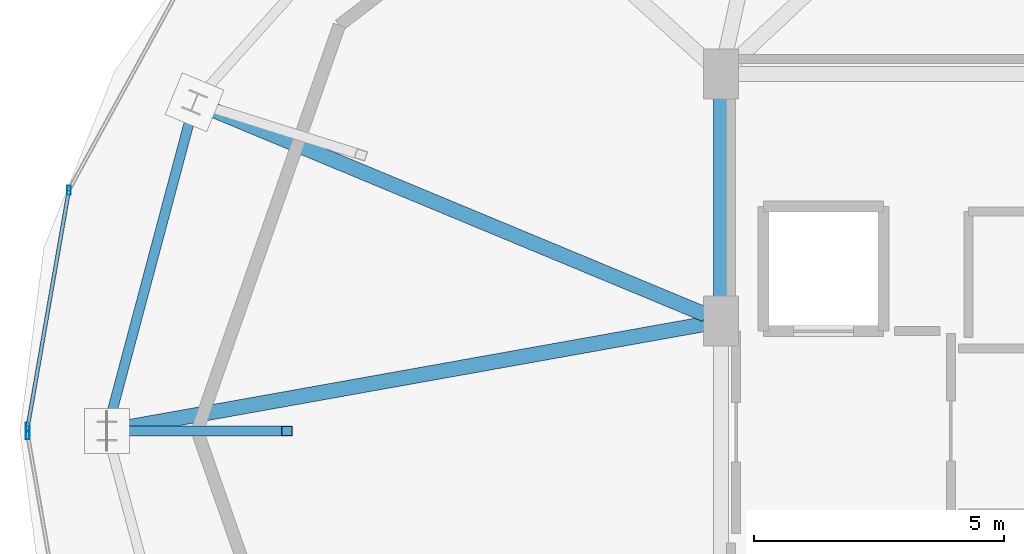
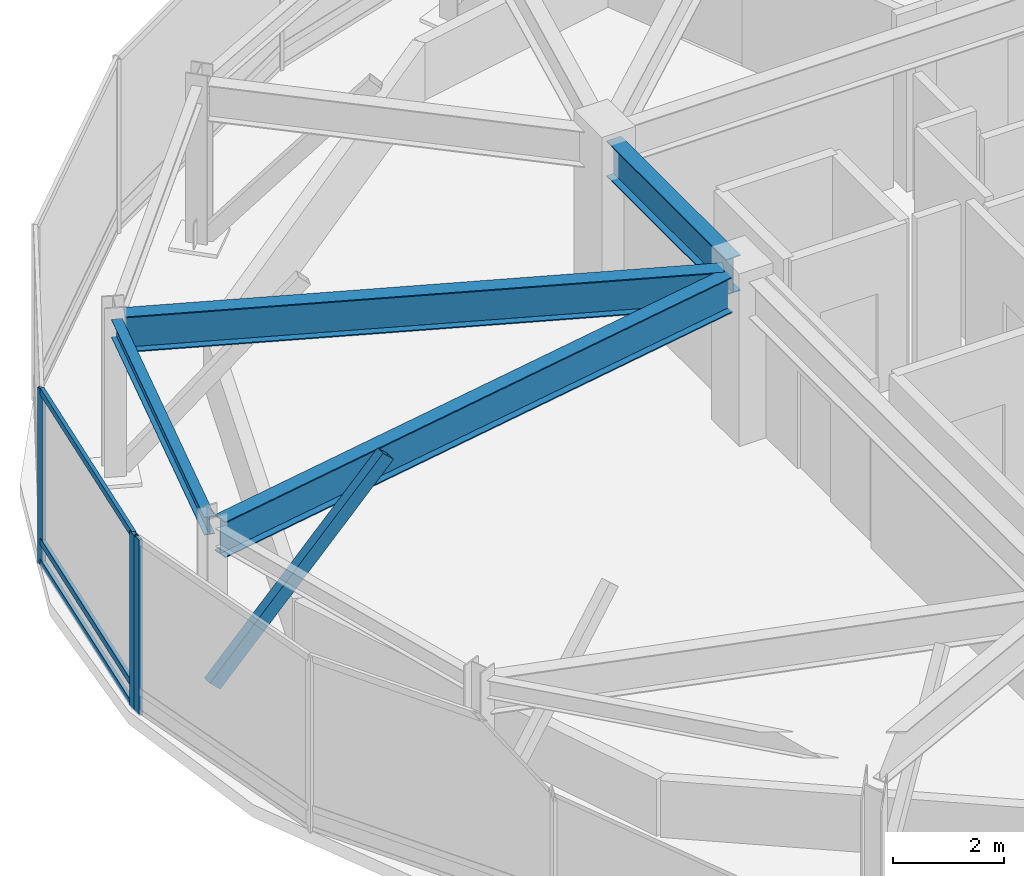
# One storey, part 9 of 28: 7 members, 4 beams, 2 elements without a shape of their own.
"""IFC4 building model written with IfcOpenShell, lengths in metres."""

from ifc_helpers import new_model, si_unit, direction, frame, origin, origin_2d, place, context, subcontext, project, spatial, hollow_rectangle, i_section, extrude, material, material_profile, profile_set, type_object, element, aggregate, save


model = new_model("IFC4")

# Units and contexts
model_context = context("Model", 3, precision=1e-05, world=origin(), true_north=direction((0.0, 1.0)))
body_context = subcontext(model_context, "Body", "Model", "MODEL_VIEW")
ifc_project = project(units=[si_unit("LENGTHUNIT", "METRE"), si_unit("AREAUNIT", "SQUARE_METRE"), si_unit("VOLUMEUNIT", "CUBIC_METRE"), si_unit("PLANEANGLEUNIT", "RADIAN"), si_unit("MASSUNIT", "GRAM", prefix="KILO")], contexts=[model_context])

# Site, building, storey
site_placement = place(None, origin())
site = spatial("IfcSite", under=ifc_project, at=site_placement, CompositionType="ELEMENT")
building_placement = place(site_placement, origin())
building = spatial("IfcBuilding", under=site, at=building_placement, Name="Vorneva Point Tower", CompositionType="ELEMENT")
storey_placement = place(building_placement, frame((0.0, 0.0, 295.39990234375)))
storey = spatial("IfcBuildingStorey", under=building, at=storey_placement, Name="C01", CompositionType="ELEMENT", Elevation=295.39990234375)

# Beams
ifc_material_1 = material(Name="Steel S355", Category="steel")
ifc_material_profile_1 = material_profile(ifc_material_1, i_section(OverallWidth=0.300048828125, OverallDepth=0.7880859375, WebThickness=0.014404296875, FlangeThickness=0.02197265625, at=origin_2d()), Name="80Sh1")
ifc_profile_set_1 = profile_set([ifc_material_profile_1], Name="Steel S355")
beam_type_1 = type_object("IfcBeamType", Name="BM-GRD-80Sh1", PredefinedType="USERDEFINED", material=ifc_profile_set_1)
beam_1_placement = place(storey_placement, frame((16.878173828125, 32.510009765625, 3.156005859375), z_axis=(0.923445886694, -0.383728672824, 0.0), x_axis=(0.383728672824, 0.923445886694, 0.0)))
element("IfcBeam", 1, at=beam_1_placement, inside=storey, type_object=beam_type_1, Name="C01 Radial Primary Girder 08", ObjectType="GIRDER", PredefinedType="USERDEFINED", context=body_context, shape_type="SweptSolid", body=[
    extrude(i_section(OverallWidth=0.300048828125, OverallDepth=0.7880859375, WebThickness=0.014404296875, FlangeThickness=0.02197265625, at=origin_2d()), origin(), (0.0, 0.0, 1.0), 10.8916015625),
])
beam_2_placement = place(storey_placement, frame((15.135009765625, 26.033203125, 3.156005859375), z_axis=(0.984379626052, 0.176058944144, 0.0), x_axis=(-0.176058944144, 0.984379626052, 0.0)))
element("IfcBeam", 2, at=beam_2_placement, inside=storey, type_object=beam_type_1, Name="C01 Radial Primary Girder 09", ObjectType="GIRDER", PredefinedType="USERDEFINED", context=body_context, shape_type="SweptSolid", body=[
    extrude(i_section(OverallWidth=0.300048828125, OverallDepth=0.7880859375, WebThickness=0.014404296875, FlangeThickness=0.02197265625, at=origin_2d()), origin(), (0.0, 0.0, 1.0), 11.96728515625),
])
beam_3_placement = place(storey_placement, frame((27.25, 28.52001953125, 3.156005859375), z_axis=(0.0, 1.0, 0.0), x_axis=(-1.0, 0.0, 0.0)))
element("IfcBeam", 3, at=beam_3_placement, inside=storey, type_object=beam_type_1, Name="C01 Core Tie Girder CT2", ObjectType="GIRDER", PredefinedType="USERDEFINED", context=body_context, shape_type="SweptSolid", body=[
    extrude(i_section(OverallWidth=0.300048828125, OverallDepth=0.7880859375, WebThickness=0.014404296875, FlangeThickness=0.02197265625, at=origin_2d()), origin(), (0.0, 0.0, 1.0), 4.31005859375),
])
ifc_material_profile_2 = material_profile(ifc_material_1, i_section(OverallWidth=0.198974609375, OverallDepth=0.39599609375, WebThickness=0.007080078125, FlangeThickness=0.010986328125, at=origin_2d()), Name="40B1")
ifc_profile_set_2 = profile_set([ifc_material_profile_2], Name="Steel S355")
beam_type_2 = type_object("IfcBeamType", Name="BM-SPN-40B1", PredefinedType="SPANDREL", material=ifc_profile_set_2)
beam_4_placement = place(storey_placement, frame((16.656982421875, 32.4033203125, 3.35205078125), z_axis=(-0.257558860387, -0.96626261101, 0.0), x_axis=(0.96626261101, -0.257558860387, 0.0)))
element("IfcBeam", 4, at=beam_4_placement, inside=storey, type_object=beam_type_2, Name="C01 Perimeter Spandrel Ring Beam 08", PredefinedType="SPANDREL", context=body_context, shape_type="SweptSolid", body=[
    extrude(i_section(OverallWidth=0.198974609375, OverallDepth=0.39599609375, WebThickness=0.007080078125, FlangeThickness=0.010986328125, at=origin_2d()), origin(), (0.0, 0.0, 1.0), 6.44189453125),
])

# Curtain wall, members
ifc_material_2 = material(Name="Pale anodised aluminium", Category="aluminium")
curtain_wall_type = type_object("IfcCurtainWallType", Name="CW-CRN-SYS", PredefinedType="NOTDEFINED", material=ifc_material_2)
curtain_wall_1_placement = place(storey_placement, origin())
curtain_wall_1 = element("IfcCurtainWall", 5, at=curtain_wall_1_placement, inside=storey, type_object=curtain_wall_type, Name="C01 Unitised Curtain Wall CW-C01-Q2", PredefinedType="NOTDEFINED")
ifc_material_profile_3 = material_profile(ifc_material_2, hollow_rectangle(XDim=0.074951171875, YDim=0.179931640625, WallThickness=0.00390625, at=origin_2d()), Name="AL-MUL 180x75x4")
ifc_profile_set_3 = profile_set([ifc_material_profile_3], Name="Pale anodised aluminium")
member_type_1 = type_object("IfcMemberType", Name="CW-MUL-180", PredefinedType="MULLION", material=ifc_profile_set_3)
member_1_placement = place(storey_placement, frame((14.18994140625, 30.824462890625, -0.039794921875), z_axis=(0.0, 0.0, 1.0), x_axis=(1.0, 0.0, 0.0)))
member_1 = element("IfcMember", 6, at=member_1_placement, type_object=member_type_1, Name="CW-C01-Q2 Mullion 06", PredefinedType="MULLION", context=body_context, shape_type="SweptSolid", body=[
    extrude(hollow_rectangle(XDim=0.074951171875, YDim=0.179931640625, WallThickness=0.00390625, at=origin_2d()), origin(), (0.0, 0.0, 1.0), 3.869873046875),
])
member_2_placement = place(storey_placement, frame((13.36376953125, 26.078857421875, -0.039794921875), z_axis=(0.0, 0.0, 1.0), x_axis=(1.0, 0.0, 0.0)))
member_2 = element("IfcMember", 7, at=member_2_placement, type_object=member_type_1, Name="CW-C01-Q2 Mullion 07", PredefinedType="MULLION", context=body_context, shape_type="SweptSolid", body=[
    extrude(hollow_rectangle(XDim=0.074951171875, YDim=0.179931640625, WallThickness=0.00390625, at=origin_2d()), origin(), (0.0, 0.0, 1.0), 3.869873046875),
])

# Curtain wall, member
curtain_wall_2_placement = place(storey_placement, origin())
curtain_wall_2 = element("IfcCurtainWall", 8, at=curtain_wall_2_placement, inside=storey, type_object=curtain_wall_type, Name="C01 Unitised Curtain Wall CW-C01-Q3", PredefinedType="NOTDEFINED")
member_3_placement = place(storey_placement, frame((13.36376953125, 25.921142578125, -0.039794921875), z_axis=(0.0, 0.0, 1.0), x_axis=(1.0, 0.0, 0.0)))
member_3 = element("IfcMember", 9, at=member_3_placement, type_object=member_type_1, Name="CW-C01-Q3 Mullion 01", PredefinedType="MULLION", context=body_context, shape_type="SweptSolid", body=[
    extrude(hollow_rectangle(XDim=0.074951171875, YDim=0.179931640625, WallThickness=0.00390625, at=origin_2d()), origin(), (0.0, 0.0, 1.0), 3.869873046875),
])
aggregate(curtain_wall_2, [member_3])

# Member
ifc_material_profile_4 = material_profile(ifc_material_2, hollow_rectangle(XDim=0.074951171875, YDim=0.14990234375, WallThickness=0.00390625, at=origin_2d()), Name="AL-TRN 150x75x4")
ifc_profile_set_4 = profile_set([ifc_material_profile_4], Name="Pale anodised aluminium")
member_type_2 = type_object("IfcMemberType", Name="CW-TRN-150", PredefinedType="USERDEFINED", material=ifc_profile_set_4)
member_4_placement = place(storey_placement, frame((14.18994140625, 30.824462890625, 0.02001953125), z_axis=(-0.171512286427, -0.985181980958, 0.0), x_axis=(0.985181980958, -0.171512286427, 0.0)))
member_4 = element("IfcMember", 10, at=member_4_placement, type_object=member_type_2, Name="CW-C01-Q2 Transom 06.1", ObjectType="TRANSOM", PredefinedType="USERDEFINED", context=body_context, shape_type="SweptSolid", body=[
    extrude(hollow_rectangle(XDim=0.074951171875, YDim=0.14990234375, WallThickness=0.00390625, at=origin_2d()), origin(), (0.0, 0.0, 1.0), 4.81689453125),
])

member_5_placement = place(storey_placement, frame((14.18994140625, 30.824462890625, 0.47998046875), z_axis=(-0.171512286427, -0.985181980958, 0.0), x_axis=(0.985181980958, -0.171512286427, 0.0)))
member_5 = element("IfcMember", 11, at=member_5_placement, type_object=member_type_2, Name="CW-C01-Q2 Transom 06.2", ObjectType="TRANSOM", PredefinedType="USERDEFINED", context=body_context, shape_type="SweptSolid", body=[
    extrude(hollow_rectangle(XDim=0.074951171875, YDim=0.14990234375, WallThickness=0.00390625, at=origin_2d()), origin(), (0.0, 0.0, 1.0), 4.81689453125),
])

member_6_placement = place(storey_placement, frame((14.18994140625, 30.824462890625, 3.780029296875), z_axis=(-0.171512286427, -0.985181980958, 0.0), x_axis=(0.985181980958, -0.171512286427, 0.0)))
member_6 = element("IfcMember", 12, at=member_6_placement, type_object=member_type_2, Name="CW-C01-Q2 Transom 06.3", ObjectType="TRANSOM", PredefinedType="USERDEFINED", context=body_context, shape_type="SweptSolid", body=[
    extrude(hollow_rectangle(XDim=0.074951171875, YDim=0.14990234375, WallThickness=0.00390625, at=origin_2d()), origin(), (0.0, 0.0, 1.0), 4.81689453125),
])

aggregate(curtain_wall_1, [member_1, member_2, member_4, member_5, member_6])

ifc_material_profile_5 = material_profile(ifc_material_1, hollow_rectangle(XDim=0.199951171875, YDim=0.300048828125, WallThickness=0.011962890625, at=origin_2d()), Name="PP 300x200x12")
ifc_profile_set_5 = profile_set([ifc_material_profile_5], Name="Steel S355")
member_type_3 = type_object("IfcMemberType", Name="MBR-CRN-PP300", PredefinedType="CHORD", material=ifc_profile_set_5)
member_7_placement = place(storey_placement, frame((14.949951171875, 26.0, 0.0), z_axis=(0.688559648215, 0.0, 0.725179709348), x_axis=(0.0, 1.0, 0.0)))
element("IfcMember", 13, at=member_7_placement, inside=storey, type_object=member_type_3, Name="Crown Tapered Frame Rib C01-09", PredefinedType="CHORD", context=body_context, shape_type="SweptSolid", body=[
    extrude(hollow_rectangle(XDim=0.199951171875, YDim=0.300048828125, WallThickness=0.011962890625, at=origin_2d()), origin(), (0.0, 0.0, 1.0), 5.240234375),
])

save(model, "model.ifc")
